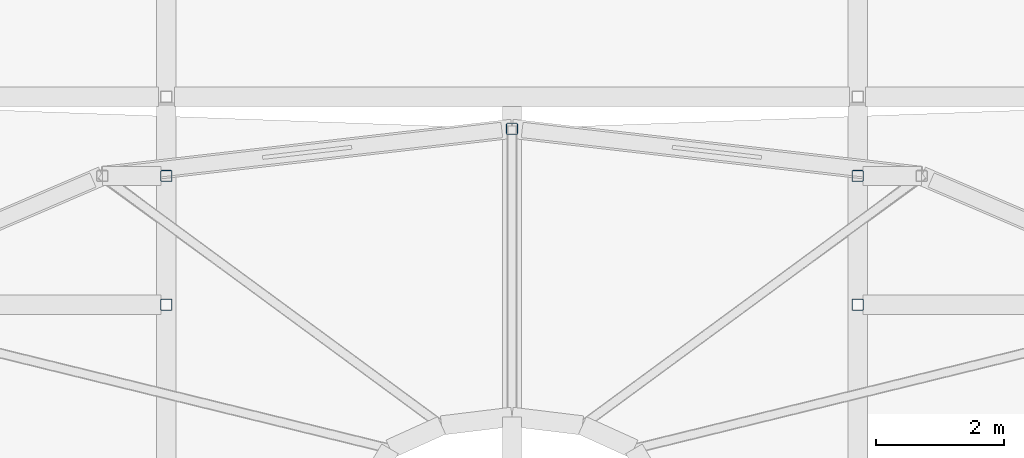
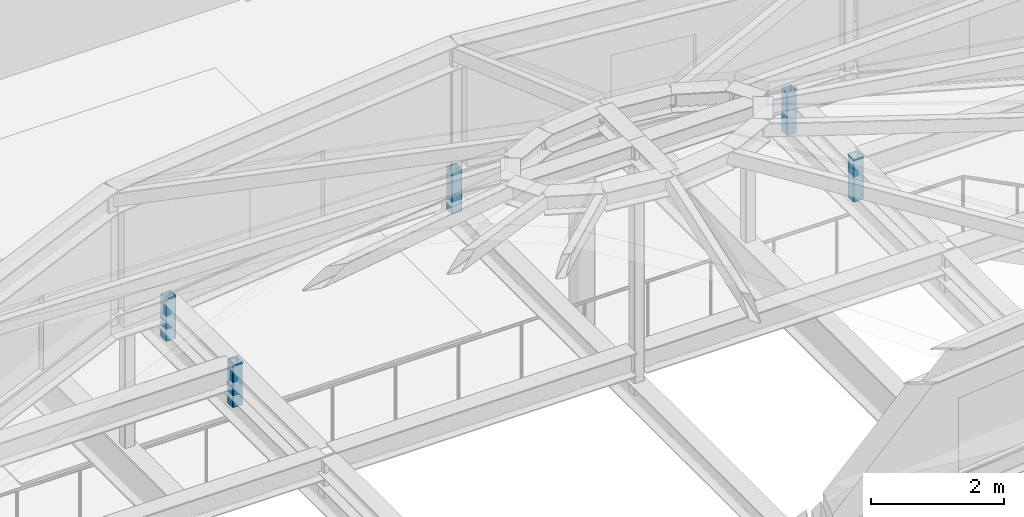
# One storey, part 57 of 86: 5 members.
"""IFC4 building model written with IfcOpenShell, lengths in metres."""

from ifc_helpers import new_model, si_unit, direction, frame, origin, origin_2d, place, context, subcontext, project, spatial, hollow_rectangle, extrude, material, material_profile, profile_set, type_object, element, save


model = new_model("IFC4")

# Units and contexts
model_context = context("Model", 3, precision=1e-05, world=origin(), true_north=direction((0.0, 1.0)))
body_context = subcontext(model_context, "Body", "Model", "MODEL_VIEW")
ifc_project = project(units=[si_unit("LENGTHUNIT", "METRE"), si_unit("AREAUNIT", "SQUARE_METRE"), si_unit("VOLUMEUNIT", "CUBIC_METRE"), si_unit("PLANEANGLEUNIT", "RADIAN"), si_unit("MASSUNIT", "GRAM", prefix="KILO")], contexts=[model_context])

# Site, building, storey
site_placement = place(None, origin())
site = spatial("IfcSite", under=ifc_project, at=site_placement, CompositionType="ELEMENT")
building_placement = place(site_placement, origin())
building = spatial("IfcBuilding", under=site, at=building_placement, Name="Tasgan Crest Museum", CompositionType="ELEMENT")
storey_placement = place(building_placement, frame((0.0, 0.0, 24.0)))
storey = spatial("IfcBuildingStorey", under=building, at=storey_placement, Name="L04", CompositionType="ELEMENT", Elevation=24.0)

# Members
ifc_material = material(Name="Steel S355K2", Category="steel")
ifc_material_profile = material_profile(ifc_material, hollow_rectangle(XDim=0.179931640625, YDim=0.179931640625, WallThickness=0.010009765625, InnerFilletRadius=0.010009765625, OuterFilletRadius=0.02001953125, at=origin_2d()), Name="SHS 180x180x10")
ifc_profile_set = profile_set([ifc_material_profile], Name="Steel S355K2")
member_type = type_object("IfcMemberType", Name="TR-SAW-POST", PredefinedType="POST", material=ifc_profile_set)
for number, where, z_axis, x_axis, name in (
    (1, (86.39990234375, 63.75, 7.320068359375), (0.0, 0.0, 1.0), (1.0, 0.0, 0.0), "Rotunda collar support post 2"),
    (2, (86.39990234375, 65.76318359375, 7.320068359375), (0.0, 0.0, 1.0), (1.0, 0.0, 0.0), "Rotunda collar support post 3"),
    (3, (81.0, 66.5, 7.320068359375), (0.0, 0.0, 1.0), (1.0, 0.0, 0.0), "Rotunda collar support post 4"),
    (4, (75.60009765625, 65.76318359375, 7.320068359375), (0.0, 0.0, 1.0), (1.0, 0.0, 0.0), "Rotunda collar support post 5"),
    (5, (75.60009765625, 63.75, 7.320068359375), (0.0, 0.0, 1.0), (1.0, 0.0, 0.0), "Rotunda collar support post 6"),
):
    element("IfcMember", number, at=place(storey_placement, frame(where, z_axis=z_axis, x_axis=x_axis)), inside=storey, type_object=member_type, Name=name, PredefinedType="POST", context=body_context, shape_type="SweptSolid", body=[
        extrude(hollow_rectangle(XDim=0.179931640625, YDim=0.179931640625, WallThickness=0.010009765625, InnerFilletRadius=0.010009765625, OuterFilletRadius=0.02001953125, at=origin_2d()), origin(), (0.0, 0.0, 1.0), 0.780029296875),
    ])

save(model, "model.ifc")
